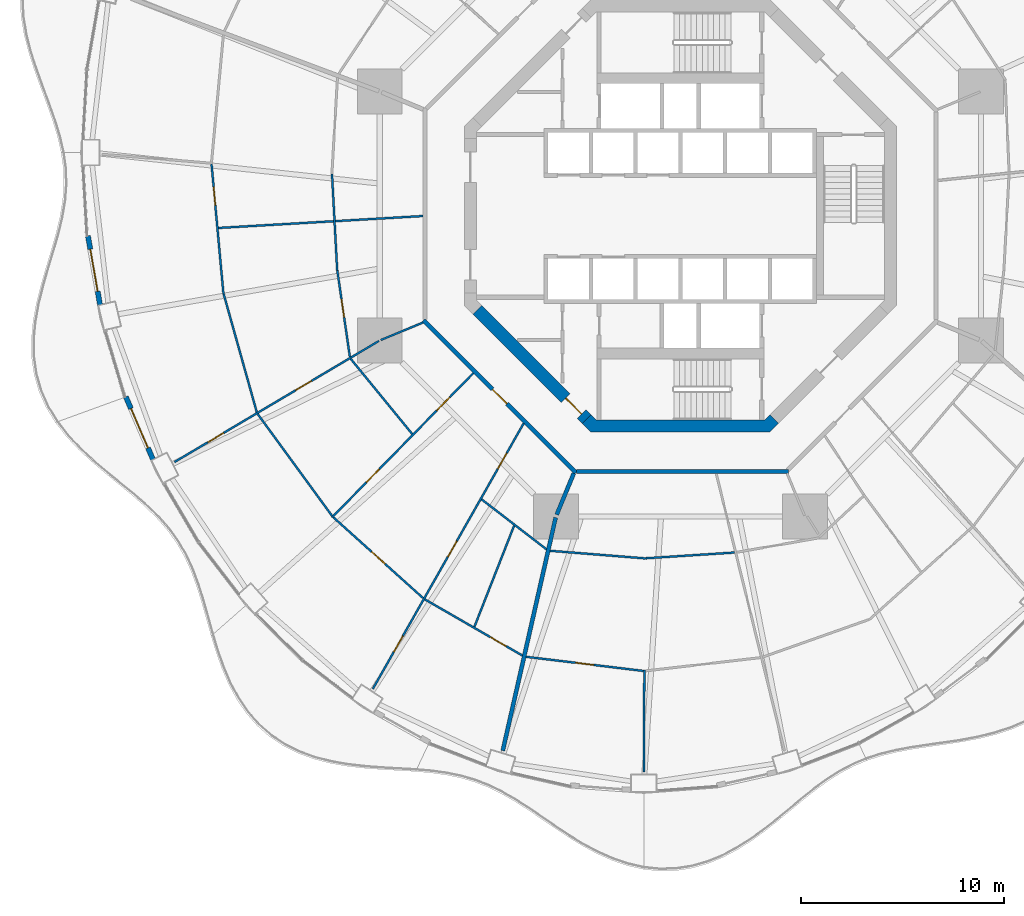
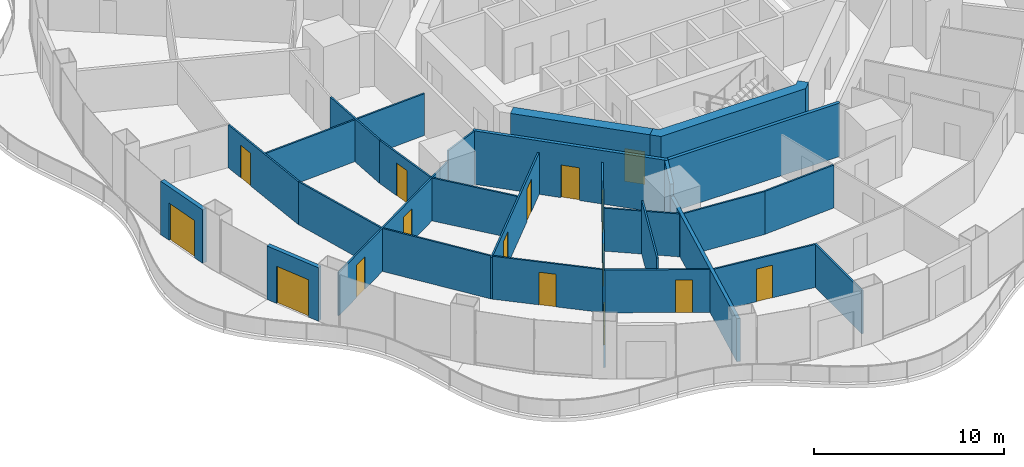
# One storey, part 15 of 24: 27 walls, 16 doors, 16 openings.
"""IFC4 building model written with IfcOpenShell, lengths in metres."""

from ifc_helpers import new_model, si_unit, direction, frame, frame_2d, origin, place, context, subcontext, project, spatial, polyline, rectangle, outline, extrude, material, layer, layer_set, type_object, element, fill, save


model = new_model("IFC4")

# Units and contexts
model_context = context("Model", 3, precision=1e-05, world=origin(), true_north=direction((0.0, 1.0)))
body_context = subcontext(model_context, "Body", "Model", "MODEL_VIEW")
ifc_project = project(units=[si_unit("LENGTHUNIT", "METRE"), si_unit("AREAUNIT", "SQUARE_METRE"), si_unit("VOLUMEUNIT", "CUBIC_METRE"), si_unit("PLANEANGLEUNIT", "RADIAN"), si_unit("MASSUNIT", "GRAM", prefix="KILO")], contexts=[model_context])

# Site, building, storey
site_placement = place(None, origin())
site = spatial("IfcSite", under=ifc_project, at=site_placement, CompositionType="ELEMENT")
building_placement = place(site_placement, origin())
building = spatial("IfcBuilding", under=site, at=building_placement, Name="Nagisa Residences", CompositionType="ELEMENT")
storey_placement = place(building_placement, frame((0.0, 0.0, 102.89990234375)))
storey = spatial("IfcBuildingStorey", under=building, at=storey_placement, Name="L25", CompositionType="ELEMENT", Elevation=102.89990234375)

# Walls
ifc_material_1 = material(Name="Gypsum board on steel studs", Category="steel")
ifc_layer_1 = layer(ifc_material_1, 0.199951171875)
ifc_layer_set_1 = layer_set([ifc_layer_1], Name="Apartment compartment wall EI60 200")
wall_type_1 = type_object("IfcWallType", Name="Apartment compartment wall EI60 200", PredefinedType="PARTITIONING", material=ifc_layer_set_1)
wall_1_placement = place(storey_placement, frame((-5.24267578125, -12.6572265625, 0.0), z_axis=(0.0, 0.0, 1.0), x_axis=(-0.382668627144, -0.923885664896, 0.0)))
element("IfcWall", 1, at=wall_1_placement, inside=storey, type_object=wall_type_1, Name="wall:L25:u06", PredefinedType="PARTITIONING", context=body_context, shape_type="SweptSolid", body=[
    extrude(rectangle(XDim=2.200439453125, YDim=0.199951171875, at=frame_2d((1.10009765625, 0.0))), origin(), (0.0, 0.0, 1.0), 3.440185546875),
])
wall_2_placement = place(storey_placement, frame((-6.134033203125, -14.830810546875, 0.0), z_axis=(0.0, 0.0, 1.0), x_axis=(-0.221225405869, -0.975222702667, 0.0)))
element("IfcWall", 2, at=wall_2_placement, inside=storey, type_object=wall_type_1, Name="wall:L25:u07", PredefinedType="PARTITIONING", context=body_context, shape_type="SweptSolid", body=[
    extrude(rectangle(XDim=11.760986328125, YDim=0.199951171875, at=frame_2d((5.88037109375, 0.0))), origin(), (0.0, 0.0, 1.0), 2.76220703125),
])

# Wall, opening, door
ifc_material_2 = material(Name="Gypsum board on steel studs", Category="steel")
ifc_layer_2 = layer(ifc_material_2, 0.199951171875)
ifc_layer_set_2 = layer_set([ifc_layer_2], Name="Apartment entry wall EI60 200")
wall_type_2 = type_object("IfcWallType", Name="Apartment entry wall EI60 200", PredefinedType="PARTITIONING", material=ifc_layer_set_2)
wall_3_placement = place(storey_placement, frame((-12.635498046875, -5.1337890625, 0.0), z_axis=(0.0, 0.0, 1.0), x_axis=(0.707106781187, -0.707106781187, 0.0)))
wall_3 = element("IfcWall", 3, at=wall_3_placement, inside=storey, type_object=wall_type_2, Name="wall:L25:u15", PredefinedType="PARTITIONING", context=body_context, shape_type="SweptSolid", body=[
    extrude(rectangle(XDim=10.609130859375, YDim=0.199951171875, at=frame_2d((5.3046875, 0.0))), origin(), (0.0, 0.0, 1.0), 3.440185546875),
])
opening_1_placement = place(wall_3_placement, frame((4.804443359375, 0.0, 0.0)))
opening_1 = element("IfcOpeningElement", 4, at=opening_1_placement, cuts=wall_3, Name="Opening L25-U01", PredefinedType="OPENING", context=body_context, shape_type="SweptSolid", body=[
    extrude(rectangle(XDim=1.0, YDim=2.10009765625, at=frame_2d((0.5, 1.050048828125))), frame((0.0, 0.10986328125, 0.0), z_axis=(0.0, -1.0, 0.0), x_axis=(1.0, 0.0, 0.0)), (0.0, 0.0, 1.0), 0.219970703125),
])
ifc_material_3 = material(Name="Timber fire door set", Category="wood")
door_type_1 = type_object("IfcDoorType", Name="Apartment entry door FD30S 1000x2100", OperationType="NOTDEFINED", PredefinedType="DOOR", material=ifc_material_3)
door_1_placement = place(opening_1_placement, frame((1.0, 0.0, 0.0), x_axis=(-1.0, 0.0, 0.0)))
door_1 = element("IfcDoor", 5, at=door_1_placement, inside=storey, type_object=door_type_1, Name="Entry door, Apartment 25A", OperationType="SINGLE_SWING_RIGHT", OverallHeight=2.10009765625, OverallWidth=1.0, PredefinedType="DOOR", context=body_context, shape_type="SweptSolid", body=[
    extrude(rectangle(XDim=1.0, YDim=2.10009765625, at=frame_2d((0.5, 1.050048828125))), frame((0.0, 0.02490234375, 0.0), z_axis=(0.0, -1.0, 0.0), x_axis=(1.0, 0.0, 0.0)), (0.0, 0.0, 1.0), 0.050048828125),
])
fill(opening_1, door_1)

# Walls
wall_4_placement = place(storey_placement, frame((-5.1044921875, -12.564697265625, 0.0), z_axis=(0.0, 0.0, 1.0), x_axis=(1.0, 0.0, 0.0)))
element("IfcWall", 6, at=wall_4_placement, inside=storey, type_object=wall_type_2, Name="wall:L25:u16", PredefinedType="PARTITIONING", context=body_context, shape_type="SweptSolid", body=[
    extrude(rectangle(XDim=10.408935546875, YDim=0.199951171875, at=frame_2d((5.20458984375, 0.0))), origin(), (0.0, 0.0, 1.0), 3.440185546875),
])
ifc_material_4 = material(Name="Gypsum board on steel studs", Category="steel")
ifc_layer_3 = layer(ifc_material_4, 0.10009765625)
ifc_layer_set_3 = layer_set([ifc_layer_3], Name="Apartment partition 100")
wall_type_3 = type_object("IfcWallType", Name="Apartment partition 100", PredefinedType="PARTITIONING", material=ifc_layer_set_3)
wall_5_placement = place(storey_placement, frame((-17.13330078125, 2.058349609375, 0.0), z_axis=(0.0, 0.0, 1.0), x_axis=(0.053747728717, -0.99855454616, 0.0)))
element("IfcWall", 7, at=wall_5_placement, inside=storey, type_object=wall_type_3, Name="wall:L25:u56", PredefinedType="PARTITIONING", context=body_context, shape_type="SweptSolid", body=[
    extrude(rectangle(XDim=4.7421875, YDim=0.10009765625, at=frame_2d((2.37109375, 0.0))), origin(), (0.0, 0.0, 1.0), 2.76220703125),
])

# Wall, opening, door
wall_6_placement = place(storey_placement, frame((-23.056884765625, 2.54248046875, 0.0), z_axis=(0.0, 0.0, 1.0), x_axis=(0.091364304609, -0.995817535417, 0.0)))
wall_6 = element("IfcWall", 8, at=wall_6_placement, inside=storey, type_object=wall_type_3, Name="wall:L25:u58", PredefinedType="PARTITIONING", context=body_context, shape_type="SweptSolid", body=[
    extrude(rectangle(XDim=6.402587890625, YDim=0.10009765625, at=frame_2d((3.201171875, 0.0))), origin(), (0.0, 0.0, 1.0), 2.76220703125),
])
opening_2_placement = place(wall_6_placement, frame((1.12548828125, 0.0, 0.0)))
opening_2 = element("IfcOpeningElement", 9, at=opening_2_placement, cuts=wall_6, Name="Opening L25-U12", PredefinedType="OPENING", context=body_context, shape_type="SweptSolid", body=[
    extrude(rectangle(XDim=0.89990234375, YDim=2.10009765625, at=frame_2d((0.449951171875, 1.050048828125))), frame((0.0, 0.06005859375, 0.0), z_axis=(0.0, -1.0, 0.0), x_axis=(1.0, 0.0, 0.0)), (0.0, 0.0, 1.0), 0.1201171875),
])
ifc_material_5 = material(Name="Timber door set", Category="wood")
door_type_2 = type_object("IfcDoorType", Name="Apartment door 900x2100", OperationType="NOTDEFINED", PredefinedType="DOOR", material=ifc_material_5)
door_2_placement = place(opening_2_placement, origin())
door_2 = element("IfcDoor", 10, at=door_2_placement, inside=storey, type_object=door_type_2, Name="Door to dining room, Apartment 25A", OperationType="SINGLE_SWING_RIGHT", OverallHeight=2.10009765625, OverallWidth=0.89990234375, PredefinedType="DOOR", context=body_context, shape_type="SweptSolid", body=[
    extrude(rectangle(XDim=0.89990234375, YDim=2.10009765625, at=frame_2d((0.449951171875, 1.050048828125))), frame((0.0, 0.02490234375, 0.0), z_axis=(0.0, -1.0, 0.0), x_axis=(1.0, 0.0, 0.0)), (0.0, 0.0, 1.0), 0.050048828125),
])
fill(opening_2, door_2)

# Wall
wall_7_placement = place(storey_placement, frame((-12.66455078125, -0.005859375, 0.0), z_axis=(0.0, 0.0, 1.0), x_axis=(-0.998300603128, -0.058274400843, 0.0)))
element("IfcWall", 11, at=wall_7_placement, inside=storey, type_object=wall_type_3, Name="wall:L25:u59", PredefinedType="PARTITIONING", context=body_context, shape_type="SweptSolid", body=[
    extrude(rectangle(XDim=10.071533203125, YDim=0.10009765625, at=frame_2d((5.03564453125, 0.0))), origin(), (0.0, 0.0, 1.0), 2.68701171875),
])

# Wall, opening, door
wall_8_placement = place(storey_placement, frame((-16.8740234375, -2.676513671875, 0.0), z_axis=(0.0, 0.0, 1.0), x_axis=(0.144260658133, -0.989539722555, 0.0)))
wall_8 = element("IfcWall", 12, at=wall_8_placement, inside=storey, type_object=wall_type_3, Name="wall:L25:u60", PredefinedType="PARTITIONING", context=body_context, shape_type="SweptSolid", body=[
    extrude(rectangle(XDim=4.308837890625, YDim=0.10009765625, at=frame_2d((2.154296875, 0.0))), origin(), (0.0, 0.0, 1.0), 2.76220703125),
])
opening_3_placement = place(wall_8_placement, frame((1.43359375, 0.0, 0.0)))
opening_3 = element("IfcOpeningElement", 13, at=opening_3_placement, cuts=wall_8, Name="Opening L25-U11", PredefinedType="OPENING", context=body_context, shape_type="SweptSolid", body=[
    extrude(rectangle(XDim=0.89990234375, YDim=2.10009765625, at=frame_2d((0.449951171875, 1.050048828125))), frame((0.0, 0.06005859375, 0.0), z_axis=(0.0, -1.0, 0.0), x_axis=(1.0, 0.0, 0.0)), (0.0, 0.0, 1.0), 0.1201171875),
])
door_3_placement = place(opening_3_placement, origin())
door_3 = element("IfcDoor", 14, at=door_3_placement, inside=storey, type_object=door_type_2, Name="Door to store, Apartment 25A", OperationType="SINGLE_SWING_LEFT", OverallHeight=2.10009765625, OverallWidth=0.89990234375, PredefinedType="DOOR", context=body_context, shape_type="SweptSolid", body=[
    extrude(rectangle(XDim=0.89990234375, YDim=2.10009765625, at=frame_2d((0.449951171875, 1.050048828125))), frame((0.0, 0.02490234375, 0.0), z_axis=(0.0, -1.0, 0.0), x_axis=(1.0, 0.0, 0.0)), (0.0, 0.0, 1.0), 0.050048828125),
])
fill(opening_3, door_3)

# Walls
wall_9_placement = place(storey_placement, frame((-22.462890625, -3.83154296875, 0.0), z_axis=(0.0, 0.0, 1.0), x_axis=(0.269797759333, -0.962917010473, 0.0)))
element("IfcWall", 15, at=wall_9_placement, inside=storey, type_object=wall_type_3, Name="wall:L25:u61", PredefinedType="PARTITIONING", context=body_context, shape_type="SweptSolid", body=[
    extrude(rectangle(XDim=6.04296875, YDim=0.10009765625, at=frame_2d((3.021484375, 0.0))), origin(), (0.0, 0.0, 1.0), 2.76220703125),
])
wall_10_placement = place(storey_placement, frame((-12.6572265625, -5.24267578125, 0.0), z_axis=(0.0, 0.0, 1.0), x_axis=(-0.923848837015, -0.382757529444, 0.0)))
element("IfcWall", 16, at=wall_10_placement, inside=storey, type_object=wall_type_3, Name="wall:L25:u62", PredefinedType="PARTITIONING", context=body_context, shape_type="SweptSolid", body=[
    extrude(rectangle(XDim=2.249755859375, YDim=0.10009765625, at=frame_2d((1.125, 0.0))), origin(), (0.0, 0.0, 1.0), 3.440185546875),
])

# Wall, openings, doors
wall_11_placement = place(storey_placement, frame((-14.824951171875, -6.1484375, 0.0), z_axis=(0.0, 0.0, 1.0), x_axis=(-0.860400431487, -0.509618580408, 0.0)))
wall_11 = element("IfcWall", 17, at=wall_11_placement, inside=storey, type_object=wall_type_3, Name="wall:L25:u63", PredefinedType="PARTITIONING", context=body_context, shape_type="SweptSolid", body=[
    extrude(rectangle(XDim=11.687744140625, YDim=0.10009765625, at=frame_2d((5.84375, 0.0))), origin(), (0.0, 0.0, 1.0), 2.76220703125),
])
opening_4_placement = place(wall_11_placement, frame((3.8583984375, 0.0, 0.0)))
opening_4 = element("IfcOpeningElement", 18, at=opening_4_placement, cuts=wall_11, Name="Opening L25-U08", PredefinedType="OPENING", context=body_context, shape_type="SweptSolid", body=[
    extrude(rectangle(XDim=0.89990234375, YDim=2.10009765625, at=frame_2d((0.449951171875, 1.050048828125))), frame((0.0, 0.06005859375, 0.0), z_axis=(0.0, -1.0, 0.0), x_axis=(1.0, 0.0, 0.0)), (0.0, 0.0, 1.0), 0.1201171875),
])
opening_5_placement = place(wall_11_placement, frame((8.876953125, 0.0, 0.0)))
opening_5 = element("IfcOpeningElement", 19, at=opening_5_placement, cuts=wall_11, Name="Opening L25-U10", PredefinedType="OPENING", context=body_context, shape_type="SweptSolid", body=[
    extrude(rectangle(XDim=0.89990234375, YDim=2.10009765625, at=frame_2d((0.449951171875, 1.050048828125))), frame((0.0, 0.06005859375, 0.0), z_axis=(0.0, -1.0, 0.0), x_axis=(1.0, 0.0, 0.0)), (0.0, 0.0, 1.0), 0.1201171875),
])
door_4_placement = place(opening_4_placement, frame((0.89990234375, 0.0, 0.0), x_axis=(-1.0, 0.0, 0.0)))
door_4 = element("IfcDoor", 20, at=door_4_placement, inside=storey, type_object=door_type_2, Name="Door to kitchen, Apartment 25A", OperationType="SINGLE_SWING_LEFT", OverallHeight=2.10009765625, OverallWidth=0.89990234375, PredefinedType="DOOR", context=body_context, shape_type="SweptSolid", body=[
    extrude(rectangle(XDim=0.89990234375, YDim=2.10009765625, at=frame_2d((0.449951171875, 1.050048828125))), frame((0.0, 0.02490234375, 0.0), z_axis=(0.0, -1.0, 0.0), x_axis=(1.0, 0.0, 0.0)), (0.0, 0.0, 1.0), 0.050048828125),
])
fill(opening_4, door_4)
door_5_placement = place(opening_5_placement, frame((0.89990234375, 0.0, 0.0), x_axis=(-1.0, 0.0, 0.0)))
door_5 = element("IfcDoor", 21, at=door_5_placement, inside=storey, type_object=door_type_2, Name="Door to living room, Apartment 25A", OperationType="SINGLE_SWING_LEFT", OverallHeight=2.10009765625, OverallWidth=0.89990234375, PredefinedType="DOOR", context=body_context, shape_type="SweptSolid", body=[
    extrude(rectangle(XDim=0.89990234375, YDim=2.10009765625, at=frame_2d((0.449951171875, 1.050048828125))), frame((0.0, 0.02490234375, 0.0), z_axis=(0.0, -1.0, 0.0), x_axis=(1.0, 0.0, 0.0)), (0.0, 0.0, 1.0), 0.050048828125),
])
fill(opening_5, door_5)

# Walls
wall_12_placement = place(storey_placement, frame((-16.213623046875, -7.0283203125, 0.0), z_axis=(0.0, 0.0, 1.0), x_axis=(0.633396341139, -0.773827548639, 0.0)))
element("IfcWall", 22, at=wall_12_placement, inside=storey, type_object=wall_type_3, Name="wall:L25:u64", PredefinedType="PARTITIONING", context=body_context, shape_type="SweptSolid", body=[
    extrude(rectangle(XDim=4.779052734375, YDim=0.10009765625, at=frame_2d((2.3896484375, 0.0))), origin(), (0.0, 0.0, 1.0), 2.76220703125),
])
wall_13_placement = place(storey_placement, frame((-20.78955078125, -9.739013671875, 0.0), z_axis=(0.0, 0.0, 1.0), x_axis=(0.589611246748, -0.807687178126, 0.0)))
element("IfcWall", 23, at=wall_13_placement, inside=storey, type_object=wall_type_3, Name="wall:L25:u65", PredefinedType="PARTITIONING", context=body_context, shape_type="SweptSolid", body=[
    extrude(rectangle(XDim=6.207763671875, YDim=0.10009765625, at=frame_2d((3.10400390625, 0.0))), origin(), (0.0, 0.0, 1.0), 2.76220703125),
])

# Wall, openings, doors
wall_14_placement = place(storey_placement, frame((-10.181396484375, -7.729248046875, 0.0), z_axis=(0.0, 0.0, 1.0), x_axis=(-0.699710752188, -0.714426247609, 0.0)))
wall_14 = element("IfcWall", 24, at=wall_14_placement, inside=storey, type_object=wall_type_3, Name="wall:L25:u66", PredefinedType="PARTITIONING", context=body_context, shape_type="SweptSolid", body=[
    extrude(rectangle(XDim=9.937744140625, YDim=0.10009765625, at=frame_2d((4.96875, 0.0))), origin(), (0.0, 0.0, 1.0), 2.68701171875),
])
opening_6_placement = place(wall_14_placement, frame((1.6748046875, 0.0, 0.0)))
opening_6 = element("IfcOpeningElement", 25, at=opening_6_placement, cuts=wall_14, Name="Opening L25-U02", PredefinedType="OPENING", context=body_context, shape_type="SweptSolid", body=[
    extrude(rectangle(XDim=0.89990234375, YDim=2.10009765625, at=frame_2d((0.449951171875, 1.050048828125))), frame((0.0, 0.06005859375, 0.0), z_axis=(0.0, -1.0, 0.0), x_axis=(1.0, 0.0, 0.0)), (0.0, 0.0, 1.0), 0.1201171875),
])
opening_7_placement = place(wall_14_placement, frame((6.61865234375, 0.0, 0.0)))
opening_7 = element("IfcOpeningElement", 26, at=opening_7_placement, cuts=wall_14, Name="Opening L25-U04", PredefinedType="OPENING", context=body_context, shape_type="SweptSolid", body=[
    extrude(rectangle(XDim=0.89990234375, YDim=2.10009765625, at=frame_2d((0.449951171875, 1.050048828125))), frame((0.0, 0.06005859375, 0.0), z_axis=(0.0, -1.0, 0.0), x_axis=(1.0, 0.0, 0.0)), (0.0, 0.0, 1.0), 0.1201171875),
])
door_6_placement = place(opening_6_placement, frame((0.89990234375, 0.0, 0.0), x_axis=(-1.0, 0.0, 0.0)))
door_6 = element("IfcDoor", 27, at=door_6_placement, inside=storey, type_object=door_type_2, Name="Door to family bathroom, Apartment 25A", OperationType="SINGLE_SWING_LEFT", OverallHeight=2.10009765625, OverallWidth=0.89990234375, PredefinedType="DOOR", context=body_context, shape_type="SweptSolid", body=[
    extrude(rectangle(XDim=0.89990234375, YDim=2.10009765625, at=frame_2d((0.449951171875, 1.050048828125))), frame((0.0, 0.02490234375, 0.0), z_axis=(0.0, -1.0, 0.0), x_axis=(1.0, 0.0, 0.0)), (0.0, 0.0, 1.0), 0.050048828125),
])
fill(opening_6, door_6)
door_7_placement = place(opening_7_placement, frame((0.89990234375, 0.0, 0.0), x_axis=(-1.0, 0.0, 0.0)))
door_7 = element("IfcDoor", 28, at=door_7_placement, inside=storey, type_object=door_type_2, Name="Door to study, Apartment 25A", OperationType="SINGLE_SWING_LEFT", OverallHeight=2.10009765625, OverallWidth=0.89990234375, PredefinedType="DOOR", context=body_context, shape_type="SweptSolid", body=[
    extrude(rectangle(XDim=0.89990234375, YDim=2.10009765625, at=frame_2d((0.449951171875, 1.050048828125))), frame((0.0, 0.02490234375, 0.0), z_axis=(0.0, -1.0, 0.0), x_axis=(1.0, 0.0, 0.0)), (0.0, 0.0, 1.0), 0.050048828125),
])
fill(opening_7, door_7)

# Wall, opening, door
wall_15_placement = place(storey_placement, frame((-17.062744140625, -14.826904296875, 0.0), z_axis=(0.0, 0.0, 1.0), x_axis=(0.743478142868, -0.668760234373, 0.0)))
wall_15 = element("IfcWall", 29, at=wall_15_placement, inside=storey, type_object=wall_type_3, Name="wall:L25:u67", PredefinedType="PARTITIONING", context=body_context, shape_type="SweptSolid", body=[
    extrude(rectangle(XDim=5.93701171875, YDim=0.10009765625, at=frame_2d((2.968505859375, 0.0))), origin(), (0.0, 0.0, 1.0), 2.76220703125),
])
opening_8_placement = place(wall_15_placement, frame((2.5185546875, 0.0, 0.0)))
opening_8 = element("IfcOpeningElement", 30, at=opening_8_placement, cuts=wall_15, Name="Opening L25-U06", PredefinedType="OPENING", context=body_context, shape_type="SweptSolid", body=[
    extrude(rectangle(XDim=0.89990234375, YDim=2.10009765625, at=frame_2d((0.449951171875, 1.050048828125))), frame((0.0, 0.06005859375, 0.0), z_axis=(0.0, -1.0, 0.0), x_axis=(1.0, 0.0, 0.0)), (0.0, 0.0, 1.0), 0.1201171875),
])
door_8_placement = place(opening_8_placement, frame((0.89990234375, 0.0, 0.0), x_axis=(-1.0, 0.0, 0.0)))
door_8 = element("IfcDoor", 31, at=door_8_placement, inside=storey, type_object=door_type_2, Name="Door to family room, Apartment 25A", OperationType="SINGLE_SWING_LEFT", OverallHeight=2.10009765625, OverallWidth=0.89990234375, PredefinedType="DOOR", context=body_context, shape_type="SweptSolid", body=[
    extrude(rectangle(XDim=0.89990234375, YDim=2.10009765625, at=frame_2d((0.449951171875, 1.050048828125))), frame((0.0, 0.02490234375, 0.0), z_axis=(0.0, -1.0, 0.0), x_axis=(1.0, 0.0, 0.0)), (0.0, 0.0, 1.0), 0.050048828125),
])
fill(opening_8, door_8)

# Wall, openings, doors
wall_16_placement = place(storey_placement, frame((-7.707275390625, -10.1982421875, 0.0), z_axis=(0.0, 0.0, 1.0), x_axis=(-0.49395524734, -0.869487328042, 0.0)))
wall_16 = element("IfcWall", 32, at=wall_16_placement, inside=storey, type_object=wall_type_3, Name="wall:L25:u68", PredefinedType="PARTITIONING", context=body_context, shape_type="SweptSolid", body=[
    extrude(rectangle(XDim=15.02490234375, YDim=0.10009765625, at=frame_2d((7.512451171875, 0.0))), origin(), (0.0, 0.0, 1.0), 2.68701171875),
])
opening_9_placement = place(wall_16_placement, frame((1.68359375, 0.0, 0.0)))
opening_9 = element("IfcOpeningElement", 33, at=opening_9_placement, cuts=wall_16, Name="Opening L25-U03", PredefinedType="OPENING", context=body_context, shape_type="SweptSolid", body=[
    extrude(rectangle(XDim=0.89990234375, YDim=2.10009765625, at=frame_2d((0.449951171875, 1.050048828125))), frame((0.0, 0.06005859375, 0.0), z_axis=(0.0, -1.0, 0.0), x_axis=(1.0, 0.0, 0.0)), (0.0, 0.0, 1.0), 0.1201171875),
])
opening_10_placement = place(wall_16_placement, frame((6.647705078125, 0.0, 0.0)))
opening_10 = element("IfcOpeningElement", 34, at=opening_10_placement, cuts=wall_16, Name="Opening L25-U05", PredefinedType="OPENING", context=body_context, shape_type="SweptSolid", body=[
    extrude(rectangle(XDim=0.89990234375, YDim=2.10009765625, at=frame_2d((0.449951171875, 1.050048828125))), frame((0.0, 0.06005859375, 0.0), z_axis=(0.0, -1.0, 0.0), x_axis=(1.0, 0.0, 0.0)), (0.0, 0.0, 1.0), 0.1201171875),
])
opening_11_placement = place(wall_16_placement, frame((12.026611328125, 0.0, 0.0)))
opening_11 = element("IfcOpeningElement", 35, at=opening_11_placement, cuts=wall_16, Name="Opening L25-U07", PredefinedType="OPENING", context=body_context, shape_type="SweptSolid", body=[
    extrude(rectangle(XDim=0.89990234375, YDim=2.10009765625, at=frame_2d((0.449951171875, 1.050048828125))), frame((0.0, 0.06005859375, 0.0), z_axis=(0.0, -1.0, 0.0), x_axis=(1.0, 0.0, 0.0)), (0.0, 0.0, 1.0), 0.1201171875),
])
door_9_placement = place(opening_9_placement, origin())
door_9 = element("IfcDoor", 36, at=door_9_placement, inside=storey, type_object=door_type_2, Name="Door to family bathroom, Apartment 25A", OperationType="SINGLE_SWING_LEFT", OverallHeight=2.10009765625, OverallWidth=0.89990234375, PredefinedType="DOOR", context=body_context, shape_type="SweptSolid", body=[
    extrude(rectangle(XDim=0.89990234375, YDim=2.10009765625, at=frame_2d((0.449951171875, 1.050048828125))), frame((0.0, 0.02490234375, 0.0), z_axis=(0.0, -1.0, 0.0), x_axis=(1.0, 0.0, 0.0)), (0.0, 0.0, 1.0), 0.050048828125),
])
fill(opening_9, door_9)
door_10_placement = place(opening_10_placement, origin())
door_10 = element("IfcDoor", 37, at=door_10_placement, inside=storey, type_object=door_type_2, Name="Door to family bathroom, Apartment 25A", OperationType="SINGLE_SWING_LEFT", OverallHeight=2.10009765625, OverallWidth=0.89990234375, PredefinedType="DOOR", context=body_context, shape_type="SweptSolid", body=[
    extrude(rectangle(XDim=0.89990234375, YDim=2.10009765625, at=frame_2d((0.449951171875, 1.050048828125))), frame((0.0, 0.02490234375, 0.0), z_axis=(0.0, -1.0, 0.0), x_axis=(1.0, 0.0, 0.0)), (0.0, 0.0, 1.0), 0.050048828125),
])
fill(opening_10, door_10)
door_11_placement = place(opening_11_placement, origin())
door_11 = element("IfcDoor", 38, at=door_11_placement, inside=storey, type_object=door_type_2, Name="Door to master bedroom, Apartment 25A", OperationType="SINGLE_SWING_LEFT", OverallHeight=2.10009765625, OverallWidth=0.89990234375, PredefinedType="DOOR", context=body_context, shape_type="SweptSolid", body=[
    extrude(rectangle(XDim=0.89990234375, YDim=2.10009765625, at=frame_2d((0.449951171875, 1.050048828125))), frame((0.0, 0.02490234375, 0.0), z_axis=(0.0, -1.0, 0.0), x_axis=(1.0, 0.0, 0.0)), (0.0, 0.0, 1.0), 0.050048828125),
])
fill(opening_11, door_11)

# Wall
wall_17_placement = place(storey_placement, frame((-9.775390625, -13.93896484375, 0.0), z_axis=(0.0, 0.0, 1.0), x_axis=(0.792162117554, -0.610310723741, 0.0)))
element("IfcWall", 39, at=wall_17_placement, inside=storey, type_object=wall_type_3, Name="wall:L25:u69", PredefinedType="PARTITIONING", context=body_context, shape_type="SweptSolid", body=[
    extrude(rectangle(XDim=4.0302734375, YDim=0.10009765625, at=frame_2d((2.01513671875, 0.0))), origin(), (0.0, 0.0, 1.0), 2.76220703125),
])

# Wall, opening, door
wall_18_placement = place(storey_placement, frame((-12.568115234375, -18.855712890625, 0.0), z_axis=(0.0, 0.0, 1.0), x_axis=(0.866533437451, -0.499119025664, 0.0)))
wall_18 = element("IfcWall", 40, at=wall_18_placement, inside=storey, type_object=wall_type_3, Name="wall:L25:u70", PredefinedType="PARTITIONING", context=body_context, shape_type="SweptSolid", body=[
    extrude(rectangle(XDim=5.53515625, YDim=0.10009765625, at=frame_2d((2.767578125, 0.0))), origin(), (0.0, 0.0, 1.0), 2.76220703125),
])
opening_12_placement = place(wall_18_placement, frame((3.7138671875, 0.0, 0.0)))
opening_12 = element("IfcOpeningElement", 41, at=opening_12_placement, cuts=wall_18, Name="Opening L25-U09", PredefinedType="OPENING", context=body_context, shape_type="SweptSolid", body=[
    extrude(rectangle(XDim=0.89990234375, YDim=2.10009765625, at=frame_2d((0.449951171875, 1.050048828125))), frame((0.0, 0.06005859375, 0.0), z_axis=(0.0, -1.0, 0.0), x_axis=(1.0, 0.0, 0.0)), (0.0, 0.0, 1.0), 0.1201171875),
])
door_12_placement = place(opening_12_placement, origin())
door_12 = element("IfcDoor", 42, at=door_12_placement, inside=storey, type_object=door_type_2, Name="Door to en-suite bathroom, Apartment 25A", OperationType="SINGLE_SWING_LEFT", OverallHeight=2.10009765625, OverallWidth=0.89990234375, PredefinedType="DOOR", context=body_context, shape_type="SweptSolid", body=[
    extrude(rectangle(XDim=0.89990234375, YDim=2.10009765625, at=frame_2d((0.449951171875, 1.050048828125))), frame((0.0, 0.02490234375, 0.0), z_axis=(0.0, -1.0, 0.0), x_axis=(1.0, 0.0, 0.0)), (0.0, 0.0, 1.0), 0.050048828125),
])
fill(opening_12, door_12)

# Walls
wall_19_placement = place(storey_placement, frame((-8.177490234375, -15.230712890625, 0.0), z_axis=(0.0, 0.0, 1.0), x_axis=(-0.365520869553, -0.930803144559, 0.0)))
element("IfcWall", 43, at=wall_19_placement, inside=storey, type_object=wall_type_3, Name="wall:L25:u71", PredefinedType="PARTITIONING", context=body_context, shape_type="SweptSolid", body=[
    extrude(rectangle(XDim=5.342041015625, YDim=0.10009765625, at=frame_2d((2.6708984375, 0.0))), origin(), (0.0, 0.0, 1.0), 3.440185546875),
])
wall_20_placement = place(storey_placement, frame((-6.40380859375, -16.467529296875, 0.0), z_axis=(0.0, 0.0, 1.0), x_axis=(0.996817253426, -0.079720532316, 0.0)))
element("IfcWall", 44, at=wall_20_placement, inside=storey, type_object=wall_type_3, Name="wall:L25:u72", PredefinedType="PARTITIONING", context=body_context, shape_type="SweptSolid", body=[
    extrude(rectangle(XDim=4.716064453125, YDim=0.10009765625, at=frame_2d((2.35791015625, 0.0))), origin(), (0.0, 0.0, 1.0), 2.76220703125),
])

# Wall, opening, door
wall_21_placement = place(storey_placement, frame((-7.5859375, -21.680419921875, 0.0), z_axis=(0.0, 0.0, 1.0), x_axis=(0.992810189026, -0.119699325668, 0.0)))
wall_21 = element("IfcWall", 45, at=wall_21_placement, inside=storey, type_object=wall_type_3, Name="wall:L25:u73", PredefinedType="PARTITIONING", context=body_context, shape_type="SweptSolid", body=[
    extrude(rectangle(XDim=5.802734375, YDim=0.10009765625, at=frame_2d((2.9013671875, 0.0))), origin(), (0.0, 0.0, 1.0), 2.76220703125),
])
opening_13_placement = place(wall_21_placement, frame((2.451416015625, 0.0, 0.0)))
opening_13 = element("IfcOpeningElement", 46, at=opening_13_placement, cuts=wall_21, Name="Opening L25-U25", PredefinedType="OPENING", context=body_context, shape_type="SweptSolid", body=[
    extrude(rectangle(XDim=0.89990234375, YDim=2.10009765625, at=frame_2d((0.449951171875, 1.050048828125))), frame((0.0, 0.06005859375, 0.0), z_axis=(0.0, -1.0, 0.0), x_axis=(1.0, 0.0, 0.0)), (0.0, 0.0, 1.0), 0.1201171875),
])
door_13_placement = place(opening_13_placement, frame((0.89990234375, 0.0, 0.0), x_axis=(-1.0, 0.0, 0.0)))
door_13 = element("IfcDoor", 47, at=door_13_placement, inside=storey, type_object=door_type_2, Name="Door to master bedroom, Apartment 25B", OperationType="SINGLE_SWING_RIGHT", OverallHeight=2.10009765625, OverallWidth=0.89990234375, PredefinedType="DOOR", context=body_context, shape_type="SweptSolid", body=[
    extrude(rectangle(XDim=0.89990234375, YDim=2.10009765625, at=frame_2d((0.449951171875, 1.050048828125))), frame((0.0, 0.02490234375, 0.0), z_axis=(0.0, -1.0, 0.0), x_axis=(1.0, 0.0, 0.0)), (0.0, 0.0, 1.0), 0.050048828125),
])
fill(opening_13, door_13)

# Walls
wall_22_placement = place(storey_placement, frame((-1.70263671875, -16.83642578125, 0.0), z_axis=(0.0, 0.0, 1.0), x_axis=(0.997897941075, 0.064805086209, 0.0)))
element("IfcWall", 48, at=wall_22_placement, inside=storey, type_object=wall_type_3, Name="wall:L25:u74", PredefinedType="PARTITIONING", context=body_context, shape_type="SweptSolid", body=[
    extrude(rectangle(XDim=4.377685546875, YDim=0.10009765625, at=frame_2d((2.18896484375, 0.0))), origin(), (0.0, 0.0, 1.0), 2.76220703125),
])
wall_23_placement = place(storey_placement, frame((-1.775146484375, -22.3310546875, 0.0), z_axis=(0.0, 0.0, 1.0), x_axis=(-0.004088153894, -0.999991643464, 0.0)))
element("IfcWall", 49, at=wall_23_placement, inside=storey, type_object=wall_type_3, Name="wall:L25:u75", PredefinedType="PARTITIONING", context=body_context, shape_type="SweptSolid", body=[
    extrude(rectangle(XDim=5.016357421875, YDim=0.10009765625, at=frame_2d((2.50830078125, 0.0))), origin(), (0.0, 0.0, 1.0), 2.76220703125),
])

# Wall, opening, door
ifc_material_6 = material(Name="Precast concrete C40/50", Category="concrete")
ifc_layer_4 = layer(ifc_material_6, 0.25)
ifc_layer_set_4 = layer_set([ifc_layer_4], Name="BALCONY DOOR WALL 250")
wall_type_4 = type_object("IfcWallType", Name="BALCONY DOOR WALL 250", PredefinedType="SOLIDWALL", material=ifc_layer_set_4)
wall_24_placement = place(storey_placement, frame((-28.5400390625, -4.377197265625, 0.0), z_axis=(0.0, 0.0, 1.0), x_axis=(-0.17223289558, 0.985056257114, 0.0)))
wall_24 = element("IfcWall", 50, at=wall_24_placement, inside=storey, type_object=wall_type_4, Name="wall:L25:bay25", PredefinedType="SOLIDWALL", context=body_context, shape_type="SweptSolid", body=[
    extrude(rectangle(XDim=3.454345703125, YDim=0.25, at=frame_2d((1.72705078125, 0.0))), origin(), (0.0, 0.0, 1.0), 3.440185546875),
])
opening_14_placement = place(wall_24_placement, frame((0.67724609375, 0.0, 0.0)))
opening_14 = element("IfcOpeningElement", 51, at=opening_14_placement, cuts=wall_24, Name="Opening BD-L25-09", PredefinedType="OPENING", context=body_context, shape_type="SweptSolid", body=[
    extrude(rectangle(XDim=2.10009765625, YDim=2.39990234375, at=frame_2d((1.050048828125, 1.199951171875))), frame((0.0, 0.135009765625, 0.0), z_axis=(0.0, -1.0, 0.0), x_axis=(1.0, 0.0, 0.0)), (0.0, 0.0, 1.0), 0.27001953125),
])
ifc_material_7 = material(Name="Aluminium and clear glass", Category="aluminium")
door_type_3 = type_object("IfcDoorType", Name="BALCONY SLIDING DOOR 2100x2400", OperationType="SLIDING_TO_LEFT", PredefinedType="DOOR", material=ifc_material_7)
door_14_placement = place(opening_14_placement, origin())
door_14 = element("IfcDoor", 52, at=door_14_placement, inside=storey, type_object=door_type_3, Name="door:L25:bay25", OperationType="SLIDING_TO_LEFT", OverallHeight=2.39990234375, OverallWidth=2.10009765625, PredefinedType="DOOR", context=body_context, shape_type="SweptSolid", body=[
    extrude(rectangle(XDim=2.10009765625, YDim=2.39990234375, at=frame_2d((1.050048828125, 1.199951171875))), frame((0.0, 0.02490234375, 0.0), z_axis=(0.0, -1.0, 0.0), x_axis=(1.0, 0.0, 0.0)), (0.0, 0.0, 1.0), 0.050048828125),
])
fill(opening_14, door_14)

wall_25_placement = place(storey_placement, frame((-25.92822265625, -11.99365234375, 0.0), z_axis=(0.0, 0.0, 1.0), x_axis=(-0.397682447205, 0.917523117521, 0.0)))
wall_25 = element("IfcWall", 53, at=wall_25_placement, inside=storey, type_object=wall_type_4, Name="wall:L25:bay27", PredefinedType="SOLIDWALL", context=body_context, shape_type="SweptSolid", body=[
    extrude(rectangle(XDim=3.379638671875, YDim=0.25, at=frame_2d((1.68994140625, 0.0))), origin(), (0.0, 0.0, 1.0), 3.440185546875),
])
opening_15_placement = place(wall_25_placement, frame((0.6396484375, 0.0, 0.0)))
opening_15 = element("IfcOpeningElement", 54, at=opening_15_placement, cuts=wall_25, Name="Opening BD-L25-10", PredefinedType="OPENING", context=body_context, shape_type="SweptSolid", body=[
    extrude(rectangle(XDim=2.10009765625, YDim=2.39990234375, at=frame_2d((1.050048828125, 1.199951171875))), frame((0.0, 0.135009765625, 0.0), z_axis=(0.0, -1.0, 0.0), x_axis=(1.0, 0.0, 0.0)), (0.0, 0.0, 1.0), 0.27001953125),
])
door_15_placement = place(opening_15_placement, origin())
door_15 = element("IfcDoor", 55, at=door_15_placement, inside=storey, type_object=door_type_3, Name="door:L25:bay27", OperationType="SLIDING_TO_LEFT", OverallHeight=2.39990234375, OverallWidth=2.10009765625, PredefinedType="DOOR", context=body_context, shape_type="SweptSolid", body=[
    extrude(rectangle(XDim=2.10009765625, YDim=2.39990234375, at=frame_2d((1.050048828125, 1.199951171875))), frame((0.0, 0.02490234375, 0.0), z_axis=(0.0, -1.0, 0.0), x_axis=(1.0, 0.0, 0.0)), (0.0, 0.0, 1.0), 0.050048828125),
])
fill(opening_15, door_15)

ifc_material_8 = material(Name="Concrete C60", Category="concrete")
ifc_layer_5 = layer(ifc_material_8, 0.60009765625)
ifc_layer_set_5 = layer_set([ifc_layer_5], Name="Core shear wall 600")
wall_type_5 = type_object("IfcWallType", Name="Core shear wall 600", PredefinedType="SHEAR", material=ifc_layer_set_5)
wall_26_placement = place(storey_placement, frame((-9.98828125, -4.613037109375, 0.0), z_axis=(0.0, 0.0, 1.0), x_axis=(0.707106781187, -0.707106781187, 0.0)))
wall_26 = element("IfcWall", 56, at=wall_26_placement, inside=storey, type_object=wall_type_5, Name="wall:L25:core:flat5", PredefinedType="SHEAR", context=body_context, shape_type="SweptSolid", body=[
    extrude(rectangle(XDim=7.601806640625, YDim=0.60009765625, at=frame_2d((3.80078125, 0.0))), origin(), (0.0, 0.0, 1.0), 3.440185546875),
])
opening_16_placement = place(wall_26_placement, frame((6.15087890625, 0.0, 0.0)))
opening_16 = element("IfcOpeningElement", 57, at=opening_16_placement, cuts=wall_26, Name="Opening L25-C22", PredefinedType="OPENING", context=body_context, shape_type="SweptSolid", body=[
    extrude(rectangle(XDim=1.10009765625, YDim=2.10009765625, at=frame_2d((0.550048828125, 1.050048828125))), frame((0.0, 0.31005859375, 0.0), z_axis=(0.0, -1.0, 0.0), x_axis=(1.0, 0.0, 0.0)), (0.0, 0.0, 1.0), 0.6201171875),
])
ifc_material_9 = material(Name="Steel fire door", Category="steel")
door_type_4 = type_object("IfcDoorType", Name="Fire door EI60 1100x2100 single swing", OperationType="NOTDEFINED", PredefinedType="DOOR", material=ifc_material_9)
door_16_placement = place(opening_16_placement, origin())
door_16 = element("IfcDoor", 58, at=door_16_placement, inside=storey, type_object=door_type_4, Name="Housekeeping lobby door L25", OperationType="SINGLE_SWING_LEFT", OverallHeight=2.10009765625, OverallWidth=1.10009765625, PredefinedType="DOOR", context=body_context, shape_type="SweptSolid", body=[
    extrude(rectangle(XDim=1.10009765625, YDim=2.10009765625, at=frame_2d((0.550048828125, 1.050048828125))), frame((0.0, 0.02490234375, 0.0), z_axis=(0.0, -1.0, 0.0), x_axis=(1.0, 0.0, 0.0)), (0.0, 0.0, 1.0), 0.050048828125),
])
fill(opening_16, door_16)

# Wall
wall_27_placement = place(storey_placement, origin())
element("IfcWall", 59, at=wall_27_placement, inside=storey, type_object=wall_type_5, Name="wall:L25:core:flat6", PredefinedType="SHEAR", context=body_context, shape_type="SweptSolid", body=[
    extrude(outline(polyline([(-4.15234375, -10.024658203125), (4.15234375, -10.024658203125), (4.40087890625, -9.776123046875), (4.8251953125, -10.200439453125), (4.40087890625, -10.62451171875), (-4.40087890625, -10.62451171875), (-4.8251953125, -10.200439453125), (-4.40087890625, -9.776123046875), (-4.15234375, -10.024658203125)])), origin(), (0.0, 0.0, 1.0), 3.440185546875),
])

save(model, "model.ifc")
